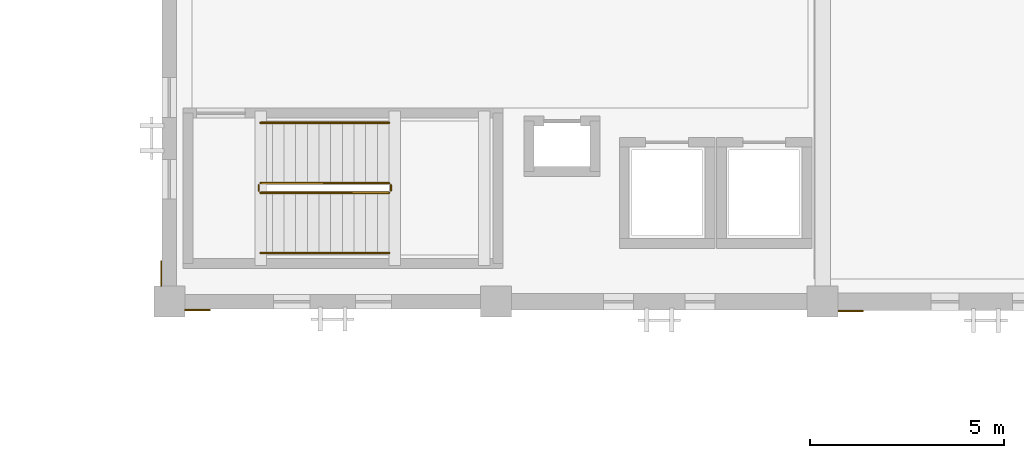
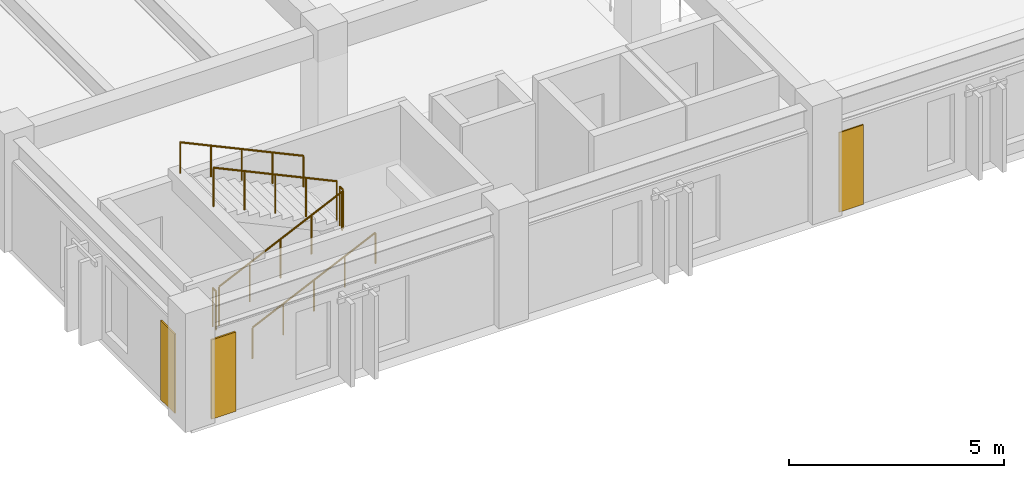
# One storey, part 102 of 123: 6 railings, 3 coverings.
"""IFC4 building model written with IfcOpenShell, lengths in metres."""

from ifc_helpers import new_model, si_unit, direction, frame, origin, origin_2d, place, context, subcontext, project, spatial, polyline, circle, outline, extrude, material, layer, layer_set, type_object, element, save


model = new_model("IFC4")

# Units and contexts
model_context = context("Model", 3, precision=1e-05, world=origin(), true_north=direction((0.0, 1.0)))
body_context = subcontext(model_context, "Body", "Model", "MODEL_VIEW")
ifc_project = project(units=[si_unit("LENGTHUNIT", "METRE"), si_unit("AREAUNIT", "SQUARE_METRE"), si_unit("VOLUMEUNIT", "CUBIC_METRE"), si_unit("PLANEANGLEUNIT", "RADIAN"), si_unit("MASSUNIT", "GRAM", prefix="KILO")], contexts=[model_context])

# Site, building, storey
site_placement = place(None, origin())
site = spatial("IfcSite", under=ifc_project, at=site_placement, CompositionType="ELEMENT")
building_placement = place(site_placement, origin())
building = spatial("IfcBuilding", under=site, at=building_placement, Name="Cumbredor Promenade Congress Hotel", CompositionType="ELEMENT")
storey_placement = place(building_placement, frame((0.0, 0.0, 11.760009765625)))
storey = spatial("IfcBuildingStorey", under=building, at=storey_placement, Name="L03", CompositionType="ELEMENT", Elevation=11.760009765625)

# Covering
ifc_material_1 = material(Name="Precast concrete C40/50", Category="concrete")
ifc_layer_1 = layer(ifc_material_1, 0.044921875, Name="Precast concrete C40/50", Category="concrete")
ifc_layer_set_1 = layer_set([ifc_layer_1], Name="Precast concrete C40/50")
covering_type_1 = type_object("IfcCoveringType", Name="Board-Formed Architectural Cladding Panel 45mm", PredefinedType="CLADDING", material=ifc_layer_set_1)
covering_1_placement = place(storey_placement, origin())
element("IfcCovering", 1, at=covering_1_placement, inside=storey, type_object=covering_type_1, Name="L03 Facade Stone Cladding Pier 132", PredefinedType="CLADDING", context=body_context, shape_type="SweptSolid", body=[
    extrude(outline(polyline([(8.801025390625, 8.2099609375), (9.450927734375, 8.2099609375), (9.450927734375, 8.1650390625), (8.801025390625, 8.1650390625), (8.801025390625, 8.2099609375)])), origin(), (0.0, 0.0, 1.0), 2.25),
])

# Railings
ifc_material_2 = material(Name="Brushed stainless steel", Category="steel")
railing_type_1 = type_object("IfcRailingType", Name="Interior Void & Stair Guardrail GR-1100", PredefinedType="GUARDRAIL", material=ifc_material_2)
railing_1_placement = place(storey_placement, frame((10.75, 11.199951171875, 0.139892578125)))
element("IfcRailing", 2, at=railing_1_placement, inside=storey, type_object=railing_type_1, Name="L03 ST-04 stair guard 1", PredefinedType="GUARDRAIL", context=body_context, shape_type="SweptSolid", body=[
    extrude(circle(Radius=0.02392578125, at=origin_2d()), frame((0.0, 0.0, 1.09619140625), z_axis=(0.906181427284, 0.0, 0.422889135408), x_axis=(0.0, 1.0, 0.0)), (0.0, 0.0, 1.0), 3.6416015625),
    extrude(circle(Radius=0.02099609375, at=origin_2d()), origin(), (0.0, 0.0, 1.0), 1.072021484375),
    extrude(circle(Radius=0.02099609375, at=origin_2d()), frame((0.824951171875, 0.0, 0.385009765625)), (0.0, 0.0, 1.0), 1.072021484375),
    extrude(circle(Radius=0.02099609375, at=origin_2d()), frame((1.64990234375, 0.0, 0.77001953125)), (0.0, 0.0, 1.0), 1.072021484375),
    extrude(circle(Radius=0.02099609375, at=origin_2d()), frame((2.47509765625, 0.0, 1.155029296875)), (0.0, 0.0, 1.0), 1.072021484375),
    extrude(circle(Radius=0.02099609375, at=origin_2d()), frame((3.300048828125, 0.0, 1.5400390625)), (0.0, 0.0, 1.0), 1.072021484375),
])
railing_2_placement = place(storey_placement, frame((14.10009765625, 11.25, 1.679931640625)))
element("IfcRailing", 3, at=railing_2_placement, inside=storey, type_object=railing_type_1, Name="L03 ST-04 stair guard 2", PredefinedType="GUARDRAIL", context=body_context, shape_type="SweptSolid", body=[
    extrude(circle(Radius=0.02392578125, at=origin_2d()), frame((0.0, 0.0, 1.09619140625), z_axis=(0.0, 1.0, 0.0), x_axis=(-1.0, 0.0, 0.0)), (0.0, 0.0, 1.0), 0.14990234375),
    extrude(circle(Radius=0.02099609375, at=origin_2d()), origin(), (0.0, 0.0, 1.0), 1.072021484375),
    extrude(circle(Radius=0.02099609375, at=origin_2d()), frame((0.0, 0.14990234375, 0.0)), (0.0, 0.0, 1.0), 1.072021484375),
])
railing_3_placement = place(storey_placement, frame((14.050048828125, 11.449951171875, 1.820068359375)))
element("IfcRailing", 4, at=railing_3_placement, inside=storey, type_object=railing_type_1, Name="L03 ST-04 stair guard 3", PredefinedType="GUARDRAIL", context=body_context, shape_type="SweptSolid", body=[
    extrude(circle(Radius=0.02392578125, at=origin_2d()), frame((0.0, 0.0, 1.09619140625), z_axis=(-0.906181427284, 0.0, 0.422889135408), x_axis=(0.0, -1.0, 0.0)), (0.0, 0.0, 1.0), 3.6416015625),
    extrude(circle(Radius=0.02099609375, at=origin_2d()), origin(), (0.0, 0.0, 1.0), 1.072021484375),
    extrude(circle(Radius=0.02099609375, at=origin_2d()), frame((-0.824951171875, 0.0, 0.385009765625)), (0.0, 0.0, 1.0), 1.072021484375),
    extrude(circle(Radius=0.02099609375, at=origin_2d()), frame((-1.64990234375, 0.0, 0.77001953125)), (0.0, 0.0, 1.0), 1.072021484375),
    extrude(circle(Radius=0.02099609375, at=origin_2d()), frame((-2.47509765625, 0.0, 1.155029296875)), (0.0, 0.0, 1.0), 1.072021484375),
    extrude(circle(Radius=0.02099609375, at=origin_2d()), frame((-3.300048828125, 0.0, 1.5400390625)), (0.0, 0.0, 1.0), 1.072021484375),
])
railing_4_placement = place(storey_placement, frame((10.699951171875, 11.25, 0.0)))
element("IfcRailing", 5, at=railing_4_placement, inside=storey, type_object=railing_type_1, Name="L03 ST-04 stair guard 4", PredefinedType="GUARDRAIL", context=body_context, shape_type="SweptSolid", body=[
    extrude(circle(Radius=0.02392578125, at=origin_2d()), frame((0.0, 0.0, 1.09619140625), z_axis=(0.0, 1.0, 0.0), x_axis=(-1.0, 0.0, 0.0)), (0.0, 0.0, 1.0), 0.14990234375),
    extrude(circle(Radius=0.02099609375, at=origin_2d()), origin(), (0.0, 0.0, 1.0), 1.072021484375),
    extrude(circle(Radius=0.02099609375, at=origin_2d()), frame((0.0, 0.14990234375, 0.0)), (0.0, 0.0, 1.0), 1.072021484375),
])
railing_type_2 = type_object("IfcRailingType", Name="Stair Pitch Handrail HR-900", PredefinedType="HANDRAIL", material=ifc_material_2)
railing_5_placement = place(storey_placement, frame((10.75, 9.64990234375, 0.139892578125)))
element("IfcRailing", 6, at=railing_5_placement, inside=storey, type_object=railing_type_2, Name="L03 ST-04 stair handrail 1", PredefinedType="HANDRAIL", context=body_context, shape_type="SweptSolid", body=[
    extrude(circle(Radius=0.02392578125, at=origin_2d()), frame((0.0, 0.0, 0.8759765625), z_axis=(0.906181427284, 0.0, 0.422889135408), x_axis=(0.0, 1.0, 0.0)), (0.0, 0.0, 1.0), 3.6416015625),
    extrude(circle(Radius=0.02099609375, at=origin_2d()), origin(), (0.0, 0.0, 1.0), 0.851806640625),
    extrude(circle(Radius=0.02099609375, at=origin_2d()), frame((0.824951171875, 0.0, 0.385009765625)), (0.0, 0.0, 1.0), 0.851806640625),
    extrude(circle(Radius=0.02099609375, at=origin_2d()), frame((1.64990234375, 0.0, 0.77001953125)), (0.0, 0.0, 1.0), 0.851806640625),
    extrude(circle(Radius=0.02099609375, at=origin_2d()), frame((2.47509765625, 0.0, 1.155029296875)), (0.0, 0.0, 1.0), 0.851806640625),
    extrude(circle(Radius=0.02099609375, at=origin_2d()), frame((3.300048828125, 0.0, 1.5400390625)), (0.0, 0.0, 1.0), 0.851806640625),
])
railing_6_placement = place(storey_placement, frame((14.050048828125, 13.0, 1.820068359375)))
element("IfcRailing", 7, at=railing_6_placement, inside=storey, type_object=railing_type_2, Name="L03 ST-04 stair handrail 2", PredefinedType="HANDRAIL", context=body_context, shape_type="SweptSolid", body=[
    extrude(circle(Radius=0.02392578125, at=origin_2d()), frame((0.0, 0.0, 0.8759765625), z_axis=(-0.906181427284, 0.0, 0.422889135408), x_axis=(0.0, -1.0, 0.0)), (0.0, 0.0, 1.0), 3.6416015625),
    extrude(circle(Radius=0.02099609375, at=origin_2d()), origin(), (0.0, 0.0, 1.0), 0.851806640625),
    extrude(circle(Radius=0.02099609375, at=origin_2d()), frame((-0.824951171875, 0.0, 0.385009765625)), (0.0, 0.0, 1.0), 0.851806640625),
    extrude(circle(Radius=0.02099609375, at=origin_2d()), frame((-1.64990234375, 0.0, 0.77001953125)), (0.0, 0.0, 1.0), 0.851806640625),
    extrude(circle(Radius=0.02099609375, at=origin_2d()), frame((-2.47509765625, 0.0, 1.155029296875)), (0.0, 0.0, 1.0), 0.851806640625),
    extrude(circle(Radius=0.02099609375, at=origin_2d()), frame((-3.300048828125, 0.0, 1.5400390625)), (0.0, 0.0, 1.0), 0.851806640625),
])

# Coverings
ifc_material_3 = material(Name="Volcanic andesite ashlar cladding", Category="masonry")
ifc_layer_2 = layer(ifc_material_3, 0.034912109375, Name="Volcanic andesite ashlar cladding", Category="masonry")
ifc_layer_set_2 = layer_set([ifc_layer_2], Name="Volcanic andesite ashlar cladding")
covering_type_2 = type_object("IfcCoveringType", Name="Volcanic Andesite Ashlar Rainscreen Cladding 35mm", PredefinedType="CLADDING", material=ifc_layer_set_2)
covering_2_placement = place(storey_placement, origin())
element("IfcCovering", 8, at=covering_2_placement, inside=storey, type_object=covering_type_2, Name="L03 Facade Stone Cladding Pier 133", PredefinedType="CLADDING", context=body_context, shape_type="SweptSolid", body=[
    extrude(outline(polyline([(25.60107421875, 8.175048828125), (26.2509765625, 8.175048828125), (26.2509765625, 8.139892578125), (25.60107421875, 8.139892578125), (25.60107421875, 8.175048828125)])), origin(), (0.0, 0.0, 1.0), 2.25),
])
covering_3_placement = place(storey_placement, origin())
element("IfcCovering", 9, at=covering_3_placement, inside=storey, type_object=covering_type_2, Name="L03 Facade Stone Cladding Pier 137", PredefinedType="CLADDING", context=body_context, shape_type="SweptSolid", body=[
    extrude(outline(polyline([(8.2099609375, 8.801025390625), (8.2099609375, 9.450927734375), (8.175048828125, 9.450927734375), (8.175048828125, 8.801025390625), (8.2099609375, 8.801025390625)])), origin(), (0.0, 0.0, 1.0), 2.25),
])

save(model, "model.ifc")
